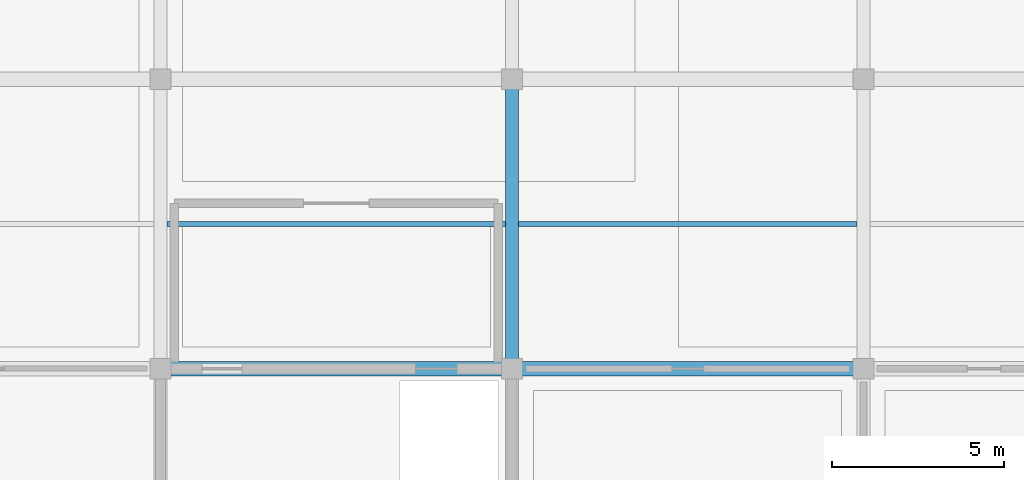
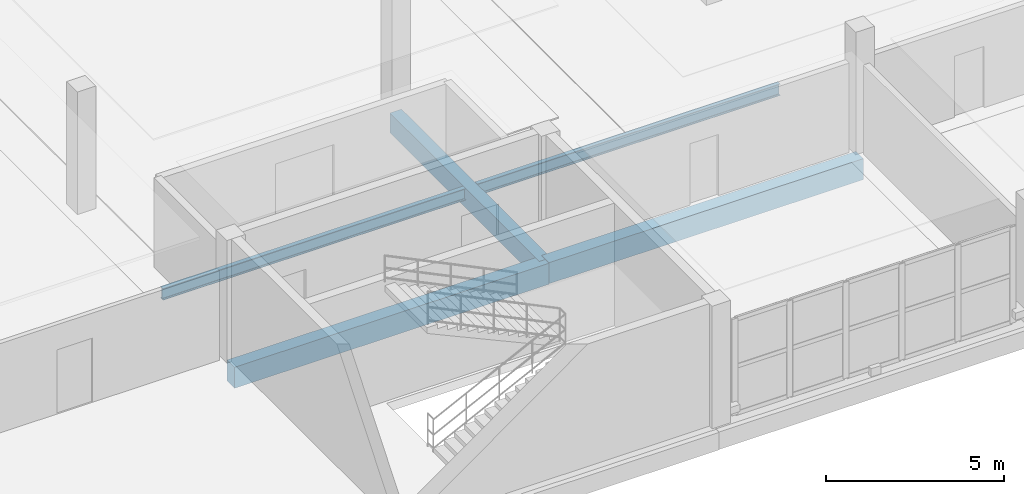
# One storey, part 7 of 24: 5 beams.
"""IFC4 building model written with IfcOpenShell, lengths in metres."""

from ifc_helpers import new_model, si_unit, direction, frame, origin, origin_2d, place, context, subcontext, project, spatial, rectangle, i_section, extrude, material, material_profile, profile_set, type_object, element, save


model = new_model("IFC4")

# Units and contexts
model_context = context("Model", 3, precision=1e-05, world=origin(), true_north=direction((0.0, 1.0)))
body_context = subcontext(model_context, "Body", "Model", "MODEL_VIEW")
ifc_project = project(units=[si_unit("LENGTHUNIT", "METRE"), si_unit("AREAUNIT", "SQUARE_METRE"), si_unit("VOLUMEUNIT", "CUBIC_METRE"), si_unit("PLANEANGLEUNIT", "RADIAN"), si_unit("MASSUNIT", "GRAM", prefix="KILO")], contexts=[model_context])

# Site, building, storey
site_placement = place(None, origin())
site = spatial("IfcSite", under=ifc_project, at=site_placement, CompositionType="ELEMENT")
building_placement = place(site_placement, origin())
building = spatial("IfcBuilding", under=site, at=building_placement, Name="Brelvane Convention Centre", CompositionType="ELEMENT")
storey_placement = place(building_placement, frame((0.0, 0.0, 19.199951171875)))
storey = spatial("IfcBuildingStorey", under=building, at=storey_placement, Name="L04", CompositionType="ELEMENT", Elevation=19.199951171875)

# Beams
ifc_material_1 = material(Name="Concrete M40", Category="concrete")
ifc_material_profile_1 = material_profile(ifc_material_1, rectangle(XDim=0.419921875, YDim=0.719970703125, at=origin_2d()), Name="RC 420x720")
ifc_profile_set_1 = profile_set([ifc_material_profile_1], Name="Concrete M40")
beam_type_1 = type_object("IfcBeamType", Name="RC Beam B-RC13 (RC 420x720)", PredefinedType="BEAM", material=ifc_profile_set_1)
for number, where, z_axis, x_axis, name in (
    (1, (30.60009765625, 118.800048828125, -0.6650390625), (1.0, 0.0, 0.0), (0.0, 1.0, 0.0), "L04 Beam 4-5/M"),
    (2, (40.800048828125, 118.800048828125, -0.64990234375), (1.0, 0.0, 0.0), (0.0, 1.0, 0.0), "L04 Beam 5-6/M"),
):
    element("IfcBeam", number, at=place(storey_placement, frame(where, z_axis=z_axis, x_axis=x_axis)), inside=storey, type_object=beam_type_1, Name=name, PredefinedType="BEAM", context=body_context, shape_type="SweptSolid", body=[
        extrude(rectangle(XDim=0.419921875, YDim=0.719970703125, at=origin_2d()), origin(), (0.0, 0.0, 1.0), 10.199951171875),
    ])
ifc_material_2 = material(Name="Concrete M40", Category="concrete")
ifc_material_profile_2 = material_profile(ifc_material_2, rectangle(XDim=0.3798828125, YDim=0.679931640625, at=origin_2d()), Name="RC 380x680")
ifc_profile_set_2 = profile_set([ifc_material_profile_2], Name="Concrete M40")
beam_type_2 = type_object("IfcBeamType", Name="RC Beam B-RC14 (RC 380x680)", PredefinedType="BEAM", material=ifc_profile_set_2)
beam_placement = place(storey_placement, frame((40.800048828125, 118.800048828125, -0.64501953125), z_axis=(0.0, 1.0, 0.0), x_axis=(-1.0, 0.0, 0.0)))
element("IfcBeam", 3, at=beam_placement, inside=storey, type_object=beam_type_2, Name="L04 Girder 5/M-N", PredefinedType="BEAM", context=body_context, shape_type="SweptSolid", body=[
    extrude(rectangle(XDim=0.3798828125, YDim=0.679931640625, at=origin_2d()), origin(), (0.0, 0.0, 1.0), 8.39990234375),
])
ifc_material_3 = material(Name="Steel E350 (350 MPa)", Category="steel")
ifc_material_profile_3 = material_profile(ifc_material_3, i_section(OverallWidth=0.139892578125, OverallDepth=0.39990234375, WebThickness=0.0087890625, FlangeThickness=0.01611328125, FilletRadius=0.013916015625, at=origin_2d()), Name="ISMB 400")
ifc_profile_set_3 = profile_set([ifc_material_profile_3], Name="Steel E350 (350 MPa)")
beam_type_3 = type_object("IfcBeamType", Name="Steel Joist J-ST1 (ISMB 400)", PredefinedType="JOIST", material=ifc_profile_set_3)
for number, where, z_axis, x_axis, name in (
    (4, (30.7900390625, 123.0, -0.5048828125), (1.0, 0.0, 0.0), (0.0, 1.0, 0.0), "L04 Secondary Joist 4-5/MN"),
    (5, (40.989990234375, 123.0, -0.489990234375), (1.0, 0.0, 0.0), (0.0, 1.0, 0.0), "L04 Secondary Joist 5-6/MN"),
):
    element("IfcBeam", number, at=place(storey_placement, frame(where, z_axis=z_axis, x_axis=x_axis)), inside=storey, type_object=beam_type_3, Name=name, PredefinedType="JOIST", context=body_context, shape_type="SweptSolid", body=[
        extrude(i_section(OverallWidth=0.139892578125, OverallDepth=0.39990234375, WebThickness=0.0087890625, FlangeThickness=0.01611328125, FilletRadius=0.013916015625, at=origin_2d()), origin(), (0.0, 0.0, 1.0), 9.820068359375),
    ])

save(model, "model.ifc")
